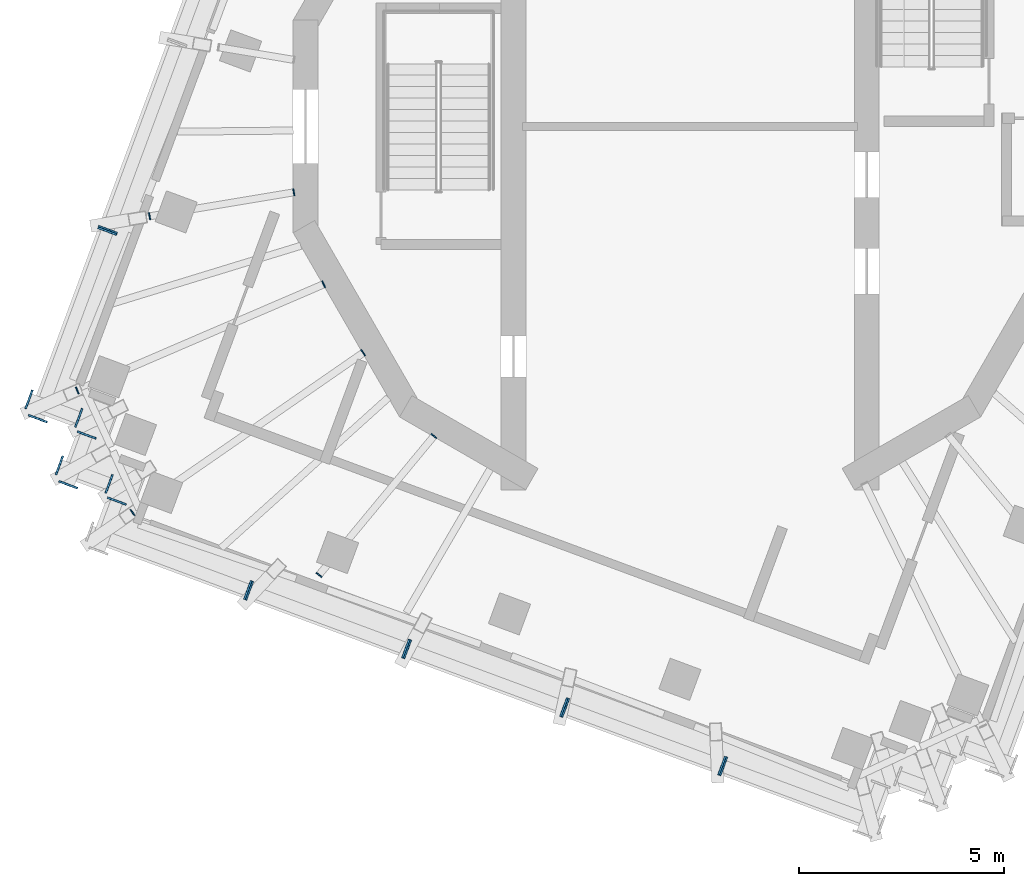
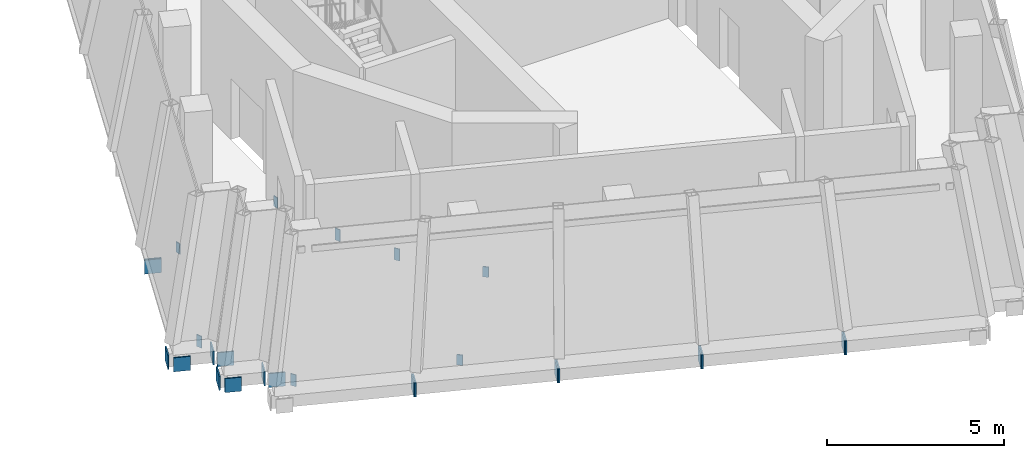
# One storey, part 7 of 12: 26 discrete accessories, 11 elements without a shape of their own.
"""IFC4 building model written with IfcOpenShell, lengths in metres."""

from ifc_helpers import new_model, si_unit, direction, frame, origin, place, context, subcontext, project, spatial, polyline, outline, extrude, material, layer, layer_set, type_object, element, aggregate, save


model = new_model("IFC4")

# Units and contexts
model_context = context("Model", 3, precision=1e-05, world=origin(), true_north=direction((0.0, 1.0)))
body_context = subcontext(model_context, "Body", "Model", "MODEL_VIEW")
ifc_project = project(units=[si_unit("LENGTHUNIT", "METRE"), si_unit("AREAUNIT", "SQUARE_METRE"), si_unit("VOLUMEUNIT", "CUBIC_METRE"), si_unit("PLANEANGLEUNIT", "RADIAN"), si_unit("MASSUNIT", "GRAM", prefix="KILO")], contexts=[model_context])

# Site, building, storey
site_placement = place(None, origin())
site = spatial("IfcSite", under=ifc_project, at=site_placement, CompositionType="ELEMENT")
building_placement = place(site_placement, origin())
building = spatial("IfcBuilding", under=site, at=building_placement, Name="Cantera Rosa Tower", CompositionType="ELEMENT")
storey_placement = place(building_placement, frame((0.0, 0.0, 360.699951171875)))
storey = spatial("IfcBuildingStorey", under=building, at=storey_placement, Name="L81", CompositionType="ELEMENT", Elevation=360.699951171875)

# Curtain wall, discrete accessory
ifc_material_1 = material(Name="Aluminium frame with clear glass", Category="aluminium")
curtain_wall_type = type_object("IfcCurtainWallType", Name="CW4 CROWN GLAZING", PredefinedType="NOTDEFINED", material=ifc_material_1)
curtain_wall_1_placement = place(storey_placement, origin())
curtain_wall_1 = element("IfcCurtainWall", 1, at=curtain_wall_1_placement, inside=storey, type_object=curtain_wall_type, Name="CW4 L81-13", PredefinedType="NOTDEFINED")
ifc_material_2 = material(Name="Steel S355J2 (EN 10025-2)", Category="steel")
ifc_layer = layer(ifc_material_2, 0.030029296875)
ifc_layer_set = layer_set([ifc_layer], Name="NODE PLATE 30")
discrete_accessory_type = type_object("IfcDiscreteAccessoryType", Name="NODE PLATE 30", PredefinedType="ANCHORPLATE", material=ifc_layer_set)
discrete_accessory_1_placement = place(storey_placement, frame((-13.96630859375, -2.651123046875, -0.43505859375), z_axis=(-0.347496626235, -0.937681233018, 0.0), x_axis=(-0.937681233018, 0.347496626235, 0.0)))
discrete_accessory_1 = element("IfcDiscreteAccessory", 2, at=discrete_accessory_1_placement, type_object=discrete_accessory_type, Name="END PLATE TE1", PredefinedType="ANCHORPLATE", context=body_context, shape_type="SweptSolid", body=[
    extrude(outline(polyline([(0.0, 0.0), (0.4798551533622547, 0.0), (0.4798551533622547, 0.47998046875), (0.0, 0.47998046875), (0.0, 0.0)])), origin(), (0.0, 0.0, -1.0), 0.0400390625),
])
aggregate(curtain_wall_1, [discrete_accessory_1])

# Curtain wall, discrete accessories
curtain_wall_2_placement = place(storey_placement, origin())
curtain_wall_2 = element("IfcCurtainWall", 3, at=curtain_wall_2_placement, inside=storey, type_object=curtain_wall_type, Name="CW4 L81-14", PredefinedType="NOTDEFINED")
discrete_accessory_2_placement = place(storey_placement, frame((-14.388427734375, -2.409423828125, -0.43505859375), z_axis=(0.347496626235, 0.937681233018, 0.0), x_axis=(0.937681233018, -0.347496626235, 0.0)))
discrete_accessory_2 = element("IfcDiscreteAccessory", 4, at=discrete_accessory_2_placement, type_object=discrete_accessory_type, Name="END PLATE TE0", PredefinedType="ANCHORPLATE", context=body_context, shape_type="SweptSolid", body=[
    extrude(outline(polyline([(0.0, 0.0), (0.4798551533622547, 0.0), (0.4798551533622547, 0.47998046875), (0.0, 0.47998046875), (0.0, 0.0)])), origin(), (0.0, 0.0, -1.0), 0.0400390625),
])
discrete_accessory_3_placement = place(storey_placement, frame((-15.656982421875, -7.2138671875, -0.43505859375), z_axis=(-0.347330918501, -0.937742626232, 0.0), x_axis=(-0.937742626232, 0.347330918501, 0.0)))
discrete_accessory_3 = element("IfcDiscreteAccessory", 5, at=discrete_accessory_3_placement, type_object=discrete_accessory_type, Name="END PLATE TE1", PredefinedType="ANCHORPLATE", context=body_context, shape_type="SweptSolid", body=[
    extrude(outline(polyline([(0.0, 0.0), (0.4800840869406107, 0.0), (0.4800840869406107, 0.47998046875), (0.0, 0.47998046875), (0.0, 0.0)])), origin(), (0.0, 0.0, -1.0), 0.0400390625),
])
aggregate(curtain_wall_2, [discrete_accessory_2, discrete_accessory_3])

curtain_wall_3_placement = place(storey_placement, origin())
curtain_wall_3 = element("IfcCurtainWall", 6, at=curtain_wall_3_placement, inside=storey, type_object=curtain_wall_type, Name="CW4 L81-15", PredefinedType="NOTDEFINED")
discrete_accessory_4_placement = place(storey_placement, frame((-16.19287109375, -6.861328125, -0.43505859375), z_axis=(-0.937681233018, 0.347496626235, 0.0), x_axis=(0.347496626235, 0.937681233018, 0.0)))
discrete_accessory_4 = element("IfcDiscreteAccessory", 7, at=discrete_accessory_4_placement, type_object=discrete_accessory_type, Name="END PLATE TE0", PredefinedType="ANCHORPLATE", context=body_context, shape_type="SweptSolid", body=[
    extrude(outline(polyline([(0.0, 0.0), (0.4798551533622547, 0.0), (0.4798551533622547, 0.47998046875), (0.0, 0.47998046875), (0.0, 0.0)])), origin(), (0.0, 0.0, -1.0), 0.0400390625),
])
discrete_accessory_5_placement = place(storey_placement, frame((-14.778076171875, -6.873779296875, -0.43505859375), z_axis=(0.937681233018, -0.347496626235, 0.0), x_axis=(-0.347496626235, -0.937681233018, 0.0)))
discrete_accessory_5 = element("IfcDiscreteAccessory", 8, at=discrete_accessory_5_placement, type_object=discrete_accessory_type, Name="END PLATE TE1", PredefinedType="ANCHORPLATE", context=body_context, shape_type="SweptSolid", body=[
    extrude(outline(polyline([(0.0, 0.0), (0.4798551533622547, 0.0), (0.4798551533622547, 0.47998046875), (0.0, 0.47998046875), (0.0, 0.0)])), origin(), (0.0, 0.0, -1.0), 0.0400390625),
])
aggregate(curtain_wall_3, [discrete_accessory_4, discrete_accessory_5])

curtain_wall_4_placement = place(storey_placement, origin())
curtain_wall_4 = element("IfcCurtainWall", 9, at=curtain_wall_4_placement, inside=storey, type_object=curtain_wall_type, Name="CW4 L81-16", PredefinedType="NOTDEFINED")
discrete_accessory_6_placement = place(storey_placement, frame((-14.90673828125, -7.40771484375, -0.43505859375), z_axis=(0.347330918501, 0.937742626232, 0.0), x_axis=(0.937742626232, -0.347330918501, 0.0)))
discrete_accessory_6 = element("IfcDiscreteAccessory", 10, at=discrete_accessory_6_placement, type_object=discrete_accessory_type, Name="END PLATE TE0", PredefinedType="ANCHORPLATE", context=body_context, shape_type="SweptSolid", body=[
    extrude(outline(polyline([(0.0, 0.0), (0.4800840869406107, 0.0), (0.4800840869406107, 0.47998046875), (0.0, 0.47998046875), (0.0, 0.0)])), origin(), (0.0, 0.0, -1.0), 0.0400390625),
])
discrete_accessory_7_placement = place(storey_placement, frame((-14.919189453125, -8.822509765625, -0.43505859375), z_axis=(-0.347496626235, -0.937681233018, 0.0), x_axis=(-0.937681233018, 0.347496626235, 0.0)))
discrete_accessory_7 = element("IfcDiscreteAccessory", 11, at=discrete_accessory_7_placement, type_object=discrete_accessory_type, Name="END PLATE TE1", PredefinedType="ANCHORPLATE", context=body_context, shape_type="SweptSolid", body=[
    extrude(outline(polyline([(0.0, 0.0), (0.4798551533622547, 0.0), (0.4798551533622547, 0.47998046875), (0.0, 0.47998046875), (0.0, 0.0)])), origin(), (0.0, 0.0, -1.0), 0.0400390625),
])
aggregate(curtain_wall_4, [discrete_accessory_6, discrete_accessory_7])

curtain_wall_5_placement = place(storey_placement, origin())
curtain_wall_5 = element("IfcCurtainWall", 12, at=curtain_wall_5_placement, inside=storey, type_object=curtain_wall_type, Name="CW4 L81-17", PredefinedType="NOTDEFINED")
discrete_accessory_8_placement = place(storey_placement, frame((-15.45361328125, -8.46923828125, -0.43505859375), z_axis=(-0.937681233018, 0.347496626235, 0.0), x_axis=(0.347496626235, 0.937681233018, 0.0)))
discrete_accessory_8 = element("IfcDiscreteAccessory", 13, at=discrete_accessory_8_placement, type_object=discrete_accessory_type, Name="END PLATE TE0", PredefinedType="ANCHORPLATE", context=body_context, shape_type="SweptSolid", body=[
    extrude(outline(polyline([(0.0, 0.0), (0.4798551533622547, 0.0), (0.4798551533622547, 0.47998046875), (0.0, 0.47998046875), (0.0, 0.0)])), origin(), (0.0, 0.0, -1.0), 0.0400390625),
])
discrete_accessory_9_placement = place(storey_placement, frame((-14.038818359375, -8.481689453125, -0.43505859375), z_axis=(0.937681233018, -0.347496626235, 0.0), x_axis=(-0.347496626235, -0.937681233018, 0.0)))
discrete_accessory_9 = element("IfcDiscreteAccessory", 14, at=discrete_accessory_9_placement, type_object=discrete_accessory_type, Name="END PLATE TE1", PredefinedType="ANCHORPLATE", context=body_context, shape_type="SweptSolid", body=[
    extrude(outline(polyline([(0.0, 0.0), (0.4798551533622547, 0.0), (0.4798551533622547, 0.47998046875), (0.0, 0.47998046875), (0.0, 0.0)])), origin(), (0.0, 0.0, -1.0), 0.0400390625),
])
aggregate(curtain_wall_5, [discrete_accessory_8, discrete_accessory_9])

# Curtain wall, discrete accessory
curtain_wall_6_placement = place(storey_placement, origin())
curtain_wall_6 = element("IfcCurtainWall", 15, at=curtain_wall_6_placement, inside=storey, type_object=curtain_wall_type, Name="CW4 L81-18", PredefinedType="NOTDEFINED")
discrete_accessory_10_placement = place(storey_placement, frame((-14.168701171875, -9.0166015625, -0.43505859375), z_axis=(0.347330918501, 0.937742626232, 0.0), x_axis=(0.937742626232, -0.347330918501, 0.0)))
discrete_accessory_10 = element("IfcDiscreteAccessory", 16, at=discrete_accessory_10_placement, type_object=discrete_accessory_type, Name="END PLATE TE0", PredefinedType="ANCHORPLATE", context=body_context, shape_type="SweptSolid", body=[
    extrude(outline(polyline([(0.0, 0.0), (0.4800840869406107, 0.0), (0.4800840869406107, 0.47998046875), (0.0, 0.47998046875), (0.0, 0.0)])), origin(), (0.0, 0.0, -1.0), 0.0400390625),
])
aggregate(curtain_wall_6, [discrete_accessory_10])

curtain_wall_7_placement = place(storey_placement, origin())
curtain_wall_7 = element("IfcCurtainWall", 17, at=curtain_wall_7_placement, inside=storey, type_object=curtain_wall_type, Name="CW4 L81-19", PredefinedType="NOTDEFINED")
discrete_accessory_11_placement = place(storey_placement, frame((-10.6259765625, -11.080322265625, -0.43505859375), z_axis=(0.937742626232, -0.347330918501, 0.0), x_axis=(-0.347330918501, -0.937742626232, 0.0)))
discrete_accessory_11 = element("IfcDiscreteAccessory", 18, at=discrete_accessory_11_placement, type_object=discrete_accessory_type, Name="END PLATE TE1", PredefinedType="ANCHORPLATE", context=body_context, shape_type="SweptSolid", body=[
    extrude(outline(polyline([(0.0, 0.0), (0.4800840869406107, 0.0), (0.4800840869406107, 0.47998046875), (0.0, 0.47998046875), (0.0, 0.0)])), origin(), (0.0, 0.0, -1.0), 0.0400390625),
])
aggregate(curtain_wall_7, [discrete_accessory_11])

# Curtain wall, discrete accessories
curtain_wall_8_placement = place(storey_placement, origin())
curtain_wall_8 = element("IfcCurtainWall", 19, at=curtain_wall_8_placement, inside=storey, type_object=curtain_wall_type, Name="CW4 L81-20", PredefinedType="NOTDEFINED")
discrete_accessory_12_placement = place(storey_placement, frame((-10.86767578125, -11.502685546875, -0.43505859375), z_axis=(-0.937742626232, 0.347330918501, 0.0), x_axis=(0.347330918501, 0.937742626232, 0.0)))
discrete_accessory_12 = element("IfcDiscreteAccessory", 20, at=discrete_accessory_12_placement, type_object=discrete_accessory_type, Name="END PLATE TE0", PredefinedType="ANCHORPLATE", context=body_context, shape_type="SweptSolid", body=[
    extrude(outline(polyline([(0.0, 0.0), (0.4800840869406107, 0.0), (0.4800840869406107, 0.47998046875), (0.0, 0.47998046875), (0.0, 0.0)])), origin(), (0.0, 0.0, -1.0), 0.0400390625),
])
discrete_accessory_13_placement = place(storey_placement, frame((-6.779052734375, -12.505859375, -0.43505859375), z_axis=(0.93751537431, -0.347943850259, 0.0), x_axis=(-0.347943850259, -0.93751537431, 0.0)))
discrete_accessory_13 = element("IfcDiscreteAccessory", 21, at=discrete_accessory_13_placement, type_object=discrete_accessory_type, Name="END PLATE TE1", PredefinedType="ANCHORPLATE", context=body_context, shape_type="SweptSolid", body=[
    extrude(outline(polyline([(0.0, 0.0), (0.47994004600337425, 0.0), (0.47994004600337425, 0.47998046875), (0.0, 0.47998046875), (0.0, 0.0)])), origin(), (0.0, 0.0, -1.0), 0.0400390625),
])
aggregate(curtain_wall_8, [discrete_accessory_12, discrete_accessory_13])

curtain_wall_9_placement = place(storey_placement, origin())
curtain_wall_9 = element("IfcCurtainWall", 22, at=curtain_wall_9_placement, inside=storey, type_object=curtain_wall_type, Name="CW4 L81-21", PredefinedType="NOTDEFINED")
discrete_accessory_14_placement = place(storey_placement, frame((-7.02099609375, -12.92822265625, -0.43505859375), z_axis=(-0.937742626232, 0.347330918501, 0.0), x_axis=(0.347330918501, 0.937742626232, 0.0)))
discrete_accessory_14 = element("IfcDiscreteAccessory", 23, at=discrete_accessory_14_placement, type_object=discrete_accessory_type, Name="END PLATE TE0", PredefinedType="ANCHORPLATE", context=body_context, shape_type="SweptSolid", body=[
    extrude(outline(polyline([(0.0, 0.0), (0.4800840869406107, 0.0), (0.4800840869406107, 0.47998046875), (0.0, 0.47998046875), (0.0, 0.0)])), origin(), (0.0, 0.0, -1.0), 0.0400390625),
])
discrete_accessory_15_placement = place(storey_placement, frame((-2.932373046875, -13.931396484375, -0.43505859375), z_axis=(0.937681233018, -0.347496626235, 0.0), x_axis=(-0.347496626235, -0.937681233018, 0.0)))
discrete_accessory_15 = element("IfcDiscreteAccessory", 24, at=discrete_accessory_15_placement, type_object=discrete_accessory_type, Name="END PLATE TE1", PredefinedType="ANCHORPLATE", context=body_context, shape_type="SweptSolid", body=[
    extrude(outline(polyline([(0.0, 0.0), (0.4798551533622547, 0.0), (0.4798551533622547, 0.47998046875), (0.0, 0.47998046875), (0.0, 0.0)])), origin(), (0.0, 0.0, -1.0), 0.0400390625),
])
aggregate(curtain_wall_9, [discrete_accessory_14, discrete_accessory_15])

curtain_wall_10_placement = place(storey_placement, origin())
curtain_wall_10 = element("IfcCurtainWall", 25, at=curtain_wall_10_placement, inside=storey, type_object=curtain_wall_type, Name="CW4 L81-22", PredefinedType="NOTDEFINED")
discrete_accessory_16_placement = place(storey_placement, frame((-3.17431640625, -14.353515625, -0.43505859375), z_axis=(-0.93751537431, 0.347943850259, 0.0), x_axis=(0.347943850259, 0.93751537431, 0.0)))
discrete_accessory_16 = element("IfcDiscreteAccessory", 26, at=discrete_accessory_16_placement, type_object=discrete_accessory_type, Name="END PLATE TE0", PredefinedType="ANCHORPLATE", context=body_context, shape_type="SweptSolid", body=[
    extrude(outline(polyline([(0.0, 0.0), (0.47994004600337425, 0.0), (0.47994004600337425, 0.47998046875), (0.0, 0.47998046875), (0.0, 0.0)])), origin(), (0.0, 0.0, -1.0), 0.0400390625),
])
discrete_accessory_17_placement = place(storey_placement, frame((0.914306640625, -15.35693359375, -0.43505859375), z_axis=(0.937681233018, -0.347496626235, 0.0), x_axis=(-0.347496626235, -0.937681233018, 0.0)))
discrete_accessory_17 = element("IfcDiscreteAccessory", 27, at=discrete_accessory_17_placement, type_object=discrete_accessory_type, Name="END PLATE TE1", PredefinedType="ANCHORPLATE", context=body_context, shape_type="SweptSolid", body=[
    extrude(outline(polyline([(0.0, 0.0), (0.4798551533622547, 0.0), (0.4798551533622547, 0.47998046875), (0.0, 0.47998046875), (0.0, 0.0)])), origin(), (0.0, 0.0, -1.0), 0.0400390625),
])
aggregate(curtain_wall_10, [discrete_accessory_16, discrete_accessory_17])

# Curtain wall, discrete accessory
curtain_wall_11_placement = place(storey_placement, origin())
curtain_wall_11 = element("IfcCurtainWall", 28, at=curtain_wall_11_placement, inside=storey, type_object=curtain_wall_type, Name="CW4 L81-23", PredefinedType="NOTDEFINED")
discrete_accessory_18_placement = place(storey_placement, frame((0.672607421875, -15.779052734375, -0.43505859375), z_axis=(-0.937681233018, 0.347496626235, 0.0), x_axis=(0.347496626235, 0.937681233018, 0.0)))
discrete_accessory_18 = element("IfcDiscreteAccessory", 29, at=discrete_accessory_18_placement, type_object=discrete_accessory_type, Name="END PLATE TE0", PredefinedType="ANCHORPLATE", context=body_context, shape_type="SweptSolid", body=[
    extrude(outline(polyline([(0.0, 0.0), (0.4798551533622547, 0.0), (0.4798551533622547, 0.47998046875), (0.0, 0.47998046875), (0.0, 0.0)])), origin(), (0.0, 0.0, -1.0), 0.0400390625),
])
aggregate(curtain_wall_11, [discrete_accessory_18])

# Discrete accessories
discrete_accessory_19_placement = place(storey_placement, frame((0.0, 0.0, -0.805908203125)))
element("IfcDiscreteAccessory", 30, at=discrete_accessory_19_placement, inside=storey, type_object=discrete_accessory_type, Name="END PLATE CG-Z6-07 L81 A", PredefinedType="ANCHORPLATE", context=body_context, shape_type="SweptSolid", body=[
    extrude(outline(polyline([(-13.126953125, -2.26904296875), (-13.156494140625, -2.27392578125), (-13.1845703125, -2.105224609375), (-13.155029296875, -2.100341796875), (-13.126953125, -2.26904296875)])), origin(), (0.0, 0.0, 1.0), 0.35595703125),
])
discrete_accessory_20_placement = place(storey_placement, frame((0.0, 0.0, -0.805908203125)))
element("IfcDiscreteAccessory", 31, at=discrete_accessory_20_placement, inside=storey, type_object=discrete_accessory_type, Name="END PLATE CG-Z6-07 L81 B", PredefinedType="ANCHORPLATE", context=body_context, shape_type="SweptSolid", body=[
    extrude(outline(polyline([(-9.67333984375, -1.521484375), (-9.643798828125, -1.5166015625), (-9.61572265625, -1.685302734375), (-9.645263671875, -1.690185546875), (-9.67333984375, -1.521484375)])), origin(), (0.0, 0.0, 1.0), 0.35595703125),
])
discrete_accessory_21_placement = place(storey_placement, frame((0.0, 0.0, -0.85595703125)))
element("IfcDiscreteAccessory", 32, at=discrete_accessory_21_placement, inside=storey, type_object=discrete_accessory_type, Name="END PLATE CG-Z6-08 L81 A", PredefinedType="ANCHORPLATE", context=body_context, shape_type="SweptSolid", body=[
    extrude(outline(polyline([(-14.866943359375, -6.5), (-14.89453125, -6.51171875), (-14.96484375, -6.348388671875), (-14.937255859375, -6.33642578125), (-14.866943359375, -6.5)])), origin(), (0.0, 0.0, 1.0), 0.406005859375),
])
discrete_accessory_22_placement = place(storey_placement, frame((0.0, 0.0, -0.85595703125)))
element("IfcDiscreteAccessory", 33, at=discrete_accessory_22_placement, inside=storey, type_object=discrete_accessory_type, Name="END PLATE CG-Z6-08 L81 B", PredefinedType="ANCHORPLATE", context=body_context, shape_type="SweptSolid", body=[
    extrude(outline(polyline([(-8.967529296875, -3.765380859375), (-8.940185546875, -3.75341796875), (-8.86962890625, -3.9169921875), (-8.897216796875, -3.928955078125), (-8.967529296875, -3.765380859375)])), origin(), (0.0, 0.0, 1.0), 0.406005859375),
])
discrete_accessory_23_placement = place(storey_placement, frame((0.0, 0.0, -0.85595703125)))
element("IfcDiscreteAccessory", 34, at=discrete_accessory_23_placement, inside=storey, type_object=discrete_accessory_type, Name="END PLATE CG-Z6-09 L81 A", PredefinedType="ANCHORPLATE", context=body_context, shape_type="SweptSolid", body=[
    extrude(outline(polyline([(-13.508056640625, -9.46142578125), (-13.53271484375, -9.478515625), (-13.634033203125, -9.332275390625), (-13.609375, -9.315185546875), (-13.508056640625, -9.46142578125)])), origin(), (0.0, 0.0, 1.0), 0.406005859375),
])
discrete_accessory_24_placement = place(storey_placement, frame((0.0, 0.0, -0.85595703125)))
element("IfcDiscreteAccessory", 35, at=discrete_accessory_24_placement, inside=storey, type_object=discrete_accessory_type, Name="END PLATE CG-Z6-09 L81 B", PredefinedType="ANCHORPLATE", context=body_context, shape_type="SweptSolid", body=[
    extrude(outline(polyline([(-8.018798828125, -5.444091796875), (-7.994140625, -5.427001953125), (-7.892822265625, -5.5732421875), (-7.91748046875, -5.59033203125), (-8.018798828125, -5.444091796875)])), origin(), (0.0, 0.0, 1.0), 0.406005859375),
])
discrete_accessory_25_placement = place(storey_placement, frame((0.0, 0.0, -0.805908203125)))
element("IfcDiscreteAccessory", 36, at=discrete_accessory_25_placement, inside=storey, type_object=discrete_accessory_type, Name="END PLATE CG-Z6-10 L81 A", PredefinedType="ANCHORPLATE", context=body_context, shape_type="SweptSolid", body=[
    extrude(outline(polyline([(-8.95654296875, -10.9580078125), (-8.9755859375, -10.98095703125), (-9.107421875, -10.8720703125), (-9.088134765625, -10.848876953125), (-8.95654296875, -10.9580078125)])), origin(), (0.0, 0.0, 1.0), 0.35595703125),
])
discrete_accessory_26_placement = place(storey_placement, frame((0.0, 0.0, -0.805908203125)))
element("IfcDiscreteAccessory", 37, at=discrete_accessory_26_placement, inside=storey, type_object=discrete_accessory_type, Name="END PLATE CG-Z6-10 L81 B", PredefinedType="ANCHORPLATE", context=body_context, shape_type="SweptSolid", body=[
    extrude(outline(polyline([(-6.3115234375, -7.4931640625), (-6.292236328125, -7.469970703125), (-6.16064453125, -7.5791015625), (-6.1796875, -7.602294921875), (-6.3115234375, -7.4931640625)])), origin(), (0.0, 0.0, 1.0), 0.35595703125),
])

save(model, "model.ifc")
